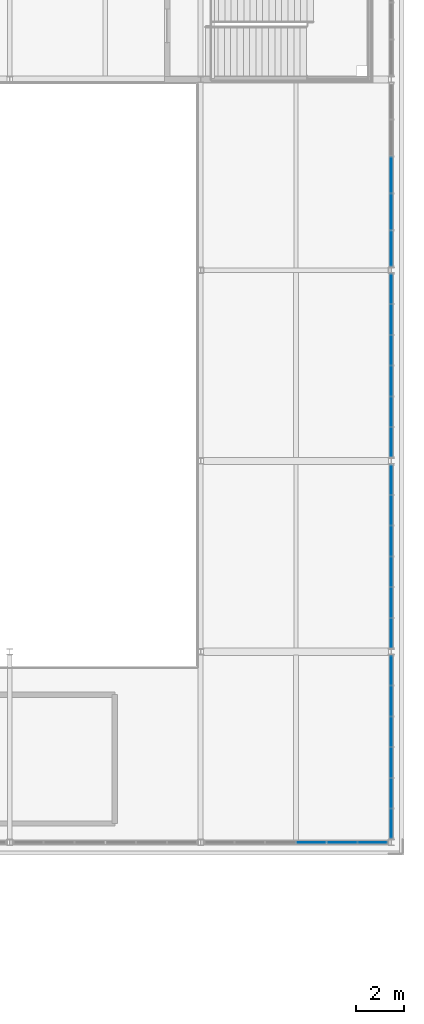
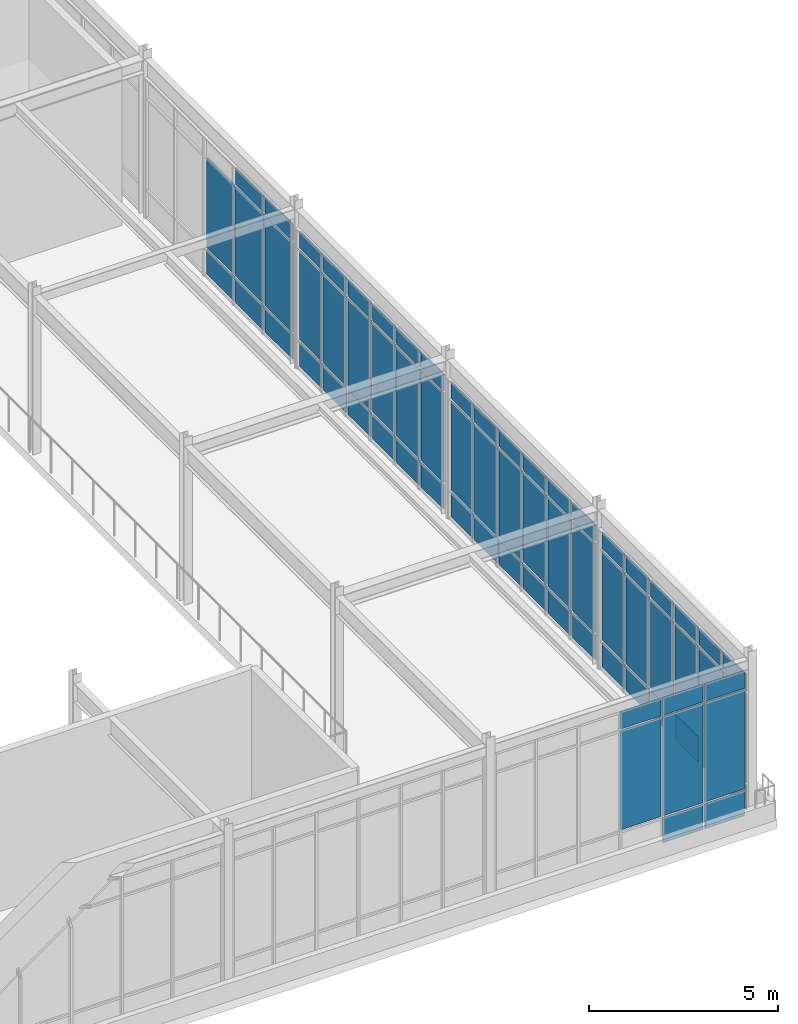
# One storey, part 101 of 184: 70 plates, 5 elements without a shape of their own.
"""IFC4 building model written with IfcOpenShell, lengths in metres."""

import ifcopenshell
import ifcopenshell.guid

model = None  # the IFC model being written
_history = None  # IfcOwnerHistory: only IFC2X3 demands one
_inside = {}  # id of a spatial element -> (the spatial element, [elements in it])
_under = {}  # id of a project, library or spatial element -> (it, [spatial elements below it])
_declared = {}  # id of a project -> (the project, [libraries it declares])
_typed = {}  # id of a type object -> (the type object, [elements of that type])
_made_of = {}  # id of a material, layer set ... -> (it, [elements and type objects made of it])


def new_model(schema):
    """Start an empty IFC model of exactly this schema.

    Asked for "IFC4X3", IfcOpenShell would pick the latest addendum, in which some entities
    have other attributes; the version numbers below select the first issue.
    IFC2X3 requires an IfcOwnerHistory on every rooted entity: one is made here for all.
    """
    global model, _history
    if schema == "IFC4X3":
        model = ifcopenshell.file(schema_version=(4, 3, 0, 0))
    else:
        model = ifcopenshell.file(schema=schema)
    _inside.clear()
    _under.clear()
    _declared.clear()
    _typed.clear()
    _made_of.clear()
    _history = None
    if model.schema == "IFC2X3":
        org = make("IfcOrganization", Name="unknown")
        user = make(
            "IfcPersonAndOrganization",
            ThePerson=make("IfcPerson", FamilyName="unknown"),
            TheOrganization=org,
        )
        app = make(
            "IfcApplication",
            ApplicationDeveloper=org,
            Version="unknown",
            ApplicationFullName="unknown",
            ApplicationIdentifier="unknown",
        )
        _history = make(
            "IfcOwnerHistory",
            OwningUser=user,
            OwningApplication=app,
            ChangeAction="ADDED",
            CreationDate=0,
        )
    return model


def make(cls, **values):
    """One entity of the class cls with the attributes given. An attribute that is None is left unset."""
    return model.create_entity(
        cls, **{name: value for name, value in values.items() if value is not None}
    )


def rooted(cls, **values):
    """An entity with a GlobalId (a new one), such as an element, a storey or a relation."""
    return make(cls, GlobalId=ifcopenshell.guid.new(), OwnerHistory=_history, **values)


def si_unit(unit_type, name, prefix=None):
    """IfcSIUnit, for example si_unit("LENGTHUNIT", "METRE", prefix="MILLI")."""
    return make("IfcSIUnit", UnitType=unit_type, Prefix=prefix, Name=name)


def assignment(units):
    """IfcUnitAssignment: the units of a project."""
    return None if units is None else make("IfcUnitAssignment", Units=units)


def point(xyz):
    """IfcCartesianPoint."""
    return None if xyz is None else make("IfcCartesianPoint", Coordinates=xyz)


def direction(xyz):
    """IfcDirection."""
    return None if xyz is None else make("IfcDirection", DirectionRatios=xyz)


def frame(location, z_axis=None, x_axis=None):
    """IfcAxis2Placement3D, a coordinate frame: its origin and axes. An axis left out is left unset."""
    return make(
        "IfcAxis2Placement3D",
        Location=point(location),
        Axis=direction(z_axis),
        RefDirection=direction(x_axis),
    )


def frame_2d(location, x_axis=None):
    """IfcAxis2Placement2D, a coordinate frame in the plane: its origin and x axis."""
    return make(
        "IfcAxis2Placement2D", Location=point(location), RefDirection=direction(x_axis)
    )


def origin():
    """The frame at (0, 0, 0) with its axes left unset."""
    return frame((0.0, 0.0, 0.0))


def origin_2d():
    """The frame at (0, 0) in the plane with its x axis left unset."""
    return frame_2d((0.0, 0.0))


def place(relative_to, where):
    """IfcLocalPlacement: puts the frame where relative to a parent placement (None: the world)."""
    return make(
        "IfcLocalPlacement", PlacementRelTo=relative_to, RelativePlacement=where
    )


def context(
    kind, dimensions, precision=None, world=None, true_north=None, identifier=None
):
    """IfcGeometricRepresentationContext, for example the 3D "Model" context."""
    return make(
        "IfcGeometricRepresentationContext",
        ContextIdentifier=identifier,
        ContextType=kind,
        CoordinateSpaceDimension=dimensions,
        Precision=precision,
        WorldCoordinateSystem=world,
        TrueNorth=true_north,
    )


def subcontext(parent, identifier, kind, view, scale=None):
    """IfcGeometricRepresentationSubContext, for example "Body" below "Model"."""
    return make(
        "IfcGeometricRepresentationSubContext",
        ContextIdentifier=identifier,
        ContextType=kind,
        ParentContext=parent,
        TargetScale=scale,
        TargetView=view,
    )


def project(units=None, contexts=None):
    """IfcProject with its units and contexts."""
    return rooted(
        "IfcProject",
        Name="project",
        RepresentationContexts=contexts,
        UnitsInContext=assignment(units),
    )


def spatial(cls, under=None, at=None, **own):
    """A site, building, storey or space (cls), placed at a placement, below another one or the project."""
    s = rooted(cls, ObjectPlacement=at, **own)
    if under is not None:
        _under.setdefault(under.id(), (under, []))[1].append(s)
    return s


def profile(cls, at=None, kind="AREA", **sizes):
    """A parametric profile (cls). Its sizes go by their IFC names, for example OverallWidth=200.0."""
    return make(cls, ProfileType=kind, Position=at, **sizes)


def rectangle(**sizes):
    """IfcRectangleProfileDef."""
    return profile("IfcRectangleProfileDef", **sizes)


def extrude(swept, where, along, depth):
    """IfcExtrudedAreaSolid: the profile swept, set in the frame where, extruded along a direction by depth."""
    return make(
        "IfcExtrudedAreaSolid",
        SweptArea=swept,
        Position=where,
        ExtrudedDirection=direction(along),
        Depth=depth,
    )


def shape(context_of_items, identifier, shape_type, items):
    """IfcShapeRepresentation: the items that make up one representation, for example the "Body"."""
    return make(
        "IfcShapeRepresentation",
        ContextOfItems=context_of_items,
        RepresentationIdentifier=identifier,
        RepresentationType=shape_type,
        Items=items,
    )


def material(Name=None, Category=None):
    """IfcMaterial."""
    return make("IfcMaterial", Name=Name, Category=Category)


def layer(
    of_material, thickness, ventilated=None, Name=None, Category=None, Priority=None
):
    """IfcMaterialLayer: one layer of a wall or slab, of a material (None: an air gap)."""
    return make(
        "IfcMaterialLayer",
        Material=of_material,
        LayerThickness=thickness,
        IsVentilated=ventilated,
        Name=Name,
        Category=Category,
        Priority=Priority,
    )


def layer_set(layers, Name=None):
    """IfcMaterialLayerSet."""
    return make("IfcMaterialLayerSet", MaterialLayers=layers, LayerSetName=Name)


def made_of(thing, what):
    """Note that an element or type object is made of a material, layer set ...; save() writes the relation."""
    if what is not None:
        _made_of.setdefault(what.id(), (what, []))[1].append(thing)
    return thing


def type_object(cls, material=None, **own):
    """A type object (cls), such as IfcWallType, which elements share."""
    return made_of(rooted(cls, **own), material)


def element(
    cls,
    number,
    at=None,
    inside=None,
    cuts=None,
    type_object=None,
    material=None,
    context=None,
    identifier="Body",
    shape_type=None,
    held_by="IfcProductDefinitionShape",
    body=None,
    shapes=None,
    **own,
):
    """One element of the class cls, such as IfcWall. Its Tag is "e" and its number.

    at: its placement. inside: the storey or other place that contains it. cuts: it is an
    opening in that element (IfcRelVoidsElement). A single representation is given by context,
    identifier, shape_type and body (its items); several are given by shapes. held_by: the class
    of the entity that holds the representations. save() writes the other relations.
    """
    e = rooted(cls, Tag="e%d" % number, ObjectPlacement=at, **own)
    if body is not None:
        shapes = [shape(context, identifier, shape_type, body)]
    if shapes is not None:
        e.Representation = make(held_by, Representations=shapes)
    if inside is not None:
        _inside.setdefault(inside.id(), (inside, []))[1].append(e)
    if cuts is not None:
        rooted(
            "IfcRelVoidsElement", RelatingBuildingElement=cuts, RelatedOpeningElement=e
        )
    if type_object is not None:
        _typed.setdefault(type_object.id(), (type_object, []))[1].append(e)
    return made_of(e, material)


def aggregate(whole, parts):
    """IfcRelAggregates: a whole, such as a stair, and the parts it consists of."""
    return rooted("IfcRelAggregates", RelatingObject=whole, RelatedObjects=parts)


def save(model, path):
    """Write the relations noted so far, then the file.

    IfcRelAggregates (storeys below a building ...), IfcRelContainedInSpatialStructure (elements
    in a storey), IfcRelDefinesByType, IfcRelAssociatesMaterial and IfcRelDeclares: one each for
    every whole, place, type object, material and project.
    """
    for whole, parts in _under.values():
        aggregate(whole, parts)
    for where, things in _inside.values():
        rooted(
            "IfcRelContainedInSpatialStructure",
            RelatedElements=things,
            RelatingStructure=where,
        )
    for kind, things in _typed.values():
        rooted("IfcRelDefinesByType", RelatedObjects=things, RelatingType=kind)
    for what, things in _made_of.values():
        rooted("IfcRelAssociatesMaterial", RelatedObjects=things, RelatingMaterial=what)
    for by, libraries in _declared.values():
        rooted("IfcRelDeclares", RelatingContext=by, RelatedDefinitions=libraries)
    model.write(path)


model = new_model("IFC4")

# Units and contexts
model_context = context("Model", 3, precision=1e-05, world=origin(), true_north=direction((0.0, 1.0)))
body_context = subcontext(model_context, "Body", "Model", "MODEL_VIEW")
ifc_project = project(units=[si_unit("LENGTHUNIT", "METRE"), si_unit("AREAUNIT", "SQUARE_METRE"), si_unit("VOLUMEUNIT", "CUBIC_METRE"), si_unit("PLANEANGLEUNIT", "RADIAN"), si_unit("MASSUNIT", "GRAM", prefix="KILO")], contexts=[model_context])

# Site, building, storey
site_placement = place(None, origin())
site = spatial("IfcSite", under=ifc_project, at=site_placement, CompositionType="ELEMENT")
building_placement = place(site_placement, origin())
building = spatial("IfcBuilding", under=site, at=building_placement, Name="Zhaolan Boulevard Law Courts", CompositionType="ELEMENT")
storey_placement = place(building_placement, frame((0.0, 0.0, 5.39990234375)))
storey = spatial("IfcBuildingStorey", under=building, at=storey_placement, Name="L01", CompositionType="ELEMENT", Elevation=5.39990234375)

# Curtain wall, plates
ifc_material_1 = material(Name="Thermally broken aluminium and low-E glazing", Category="aluminium")
curtain_wall_type_1 = type_object("IfcCurtainWallType", Name="CURTAIN WALL M12", PredefinedType="USERDEFINED", material=ifc_material_1)
curtain_wall_1_placement = place(storey_placement, origin())
curtain_wall_1 = element("IfcCurtainWall", 1, at=curtain_wall_1_placement, inside=storey, type_object=curtain_wall_type_1, Name="Curtain Wall CW-L01-060", ObjectType="CURTAIN WALL", PredefinedType="USERDEFINED")
ifc_material_2 = material(Name="Acoustic laminated low-E glazing", Category="glass")
ifc_layer = layer(ifc_material_2, 0.031982421875)
ifc_layer_set = layer_set([ifc_layer])
plate_type = type_object("IfcPlateType", Name="CWPANEL LOW E32", PredefinedType="CURTAIN_PANEL", material=ifc_layer_set)
plate_1_placement = place(storey_placement, frame((160.6455078125, 6.0, 0.9326171875), z_axis=(0.0, 0.0, 1.0), x_axis=(1.0, 0.0, 0.0)))
plate_1 = element("IfcPlate", 2, at=plate_1_placement, type_object=plate_type, Name="CW-L01-060 panel 4.2", PredefinedType="CURTAIN_PANEL", context=body_context, shape_type="SweptSolid", body=[
    extrude(rectangle(XDim=1.22607421875, YDim=0.031982421875, at=origin_2d()), origin(), (0.0, 0.0, 1.0), 3.18798828125),
])
plate_2_placement = place(storey_placement, frame((160.6455078125, 6.0, 4.185546875), z_axis=(0.0, 0.0, 1.0), x_axis=(1.0, 0.0, 0.0)))
plate_2 = element("IfcPlate", 3, at=plate_2_placement, type_object=plate_type, Name="CW-L01-060 panel 4.3", PredefinedType="CURTAIN_PANEL", context=body_context, shape_type="SweptSolid", body=[
    extrude(rectangle(XDim=1.22607421875, YDim=0.031982421875, at=origin_2d()), origin(), (0.0, 0.0, 1.0), 0.552490234375),
])
plate_3_placement = place(storey_placement, frame((161.9365234375, 6.0, 0.06494140625), z_axis=(0.0, 0.0, 1.0), x_axis=(1.0, 0.0, 0.0)))
plate_3 = element("IfcPlate", 4, at=plate_3_placement, type_object=plate_type, Name="CW-L01-060 panel 5.1", PredefinedType="CURTAIN_PANEL", context=body_context, shape_type="SweptSolid", body=[
    extrude(rectangle(XDim=1.22607421875, YDim=0.031982421875, at=origin_2d()), origin(), (0.0, 0.0, 1.0), 0.802490234375),
])
plate_4_placement = place(storey_placement, frame((161.9365234375, 6.0, 0.9326171875), z_axis=(0.0, 0.0, 1.0), x_axis=(1.0, 0.0, 0.0)))
plate_4 = element("IfcPlate", 5, at=plate_4_placement, type_object=plate_type, Name="CW-L01-060 panel 5.2", PredefinedType="CURTAIN_PANEL", context=body_context, shape_type="SweptSolid", body=[
    extrude(rectangle(XDim=1.22607421875, YDim=0.031982421875, at=origin_2d()), origin(), (0.0, 0.0, 1.0), 3.18798828125),
])
plate_5_placement = place(storey_placement, frame((161.9365234375, 6.0, 4.185546875), z_axis=(0.0, 0.0, 1.0), x_axis=(1.0, 0.0, 0.0)))
plate_5 = element("IfcPlate", 6, at=plate_5_placement, type_object=plate_type, Name="CW-L01-060 panel 5.3", PredefinedType="CURTAIN_PANEL", context=body_context, shape_type="SweptSolid", body=[
    extrude(rectangle(XDim=1.22607421875, YDim=0.031982421875, at=origin_2d()), origin(), (0.0, 0.0, 1.0), 0.552490234375),
])
plate_6_placement = place(storey_placement, frame((163.211181640625, 6.0, 0.06494140625), z_axis=(0.0, 0.0, 1.0), x_axis=(1.0, 0.0, 0.0)))
plate_6 = element("IfcPlate", 7, at=plate_6_placement, type_object=plate_type, Name="CW-L01-060 panel 6.1", PredefinedType="CURTAIN_PANEL", context=body_context, shape_type="SweptSolid", body=[
    extrude(rectangle(XDim=1.193603515625, YDim=0.031982421875, at=origin_2d()), origin(), (0.0, 0.0, 1.0), 0.802490234375),
])
plate_7_placement = place(storey_placement, frame((163.211181640625, 6.0, 0.9326171875), z_axis=(0.0, 0.0, 1.0), x_axis=(1.0, 0.0, 0.0)))
plate_7 = element("IfcPlate", 8, at=plate_7_placement, type_object=plate_type, Name="CW-L01-060 panel 6.2", PredefinedType="CURTAIN_PANEL", context=body_context, shape_type="SweptSolid", body=[
    extrude(rectangle(XDim=1.193603515625, YDim=0.031982421875, at=origin_2d()), origin(), (0.0, 0.0, 1.0), 3.18798828125),
])
plate_8_placement = place(storey_placement, frame((163.211181640625, 6.0, 4.185546875), z_axis=(0.0, 0.0, 1.0), x_axis=(1.0, 0.0, 0.0)))
plate_8 = element("IfcPlate", 9, at=plate_8_placement, type_object=plate_type, Name="CW-L01-060 panel 6.3", PredefinedType="CURTAIN_PANEL", context=body_context, shape_type="SweptSolid", body=[
    extrude(rectangle(XDim=1.193603515625, YDim=0.031982421875, at=origin_2d()), origin(), (0.0, 0.0, 1.0), 0.552490234375),
])
aggregate(curtain_wall_1, [plate_1, plate_2, plate_3, plate_4, plate_5, plate_6, plate_7, plate_8])

ifc_material_3 = material(Name="Thermally broken aluminium and low-E glazing", Category="aluminium")
curtain_wall_type_2 = type_object("IfcCurtainWallType", Name="CURTAIN WALL M13", PredefinedType="USERDEFINED", material=ifc_material_3)
curtain_wall_2_placement = place(storey_placement, origin())
curtain_wall_2 = element("IfcCurtainWall", 10, at=curtain_wall_2_placement, inside=storey, type_object=curtain_wall_type_2, Name="Curtain Wall CW-L01-061", ObjectType="CURTAIN WALL", PredefinedType="USERDEFINED")
plate_9_placement = place(storey_placement, frame((164.0, 6.788818359375, 0.06494140625), z_axis=(0.0, 0.0, 1.0), x_axis=(0.0, 1.0, 0.0)))
plate_9 = element("IfcPlate", 11, at=plate_9_placement, type_object=plate_type, Name="CW-L01-061 panel 1.1", PredefinedType="CURTAIN_PANEL", context=body_context, shape_type="SweptSolid", body=[
    extrude(rectangle(XDim=1.193603515625, YDim=0.031982421875, at=origin_2d()), origin(), (0.0, 0.0, 1.0), 0.802490234375),
])
plate_10_placement = place(storey_placement, frame((164.0, 6.788818359375, 0.9326171875), z_axis=(0.0, 0.0, 1.0), x_axis=(0.0, 1.0, 0.0)))
plate_10 = element("IfcPlate", 12, at=plate_10_placement, type_object=plate_type, Name="CW-L01-061 panel 1.2", PredefinedType="CURTAIN_PANEL", context=body_context, shape_type="SweptSolid", body=[
    extrude(rectangle(XDim=1.193603515625, YDim=0.031982421875, at=origin_2d()), origin(), (0.0, 0.0, 1.0), 2.887939453125),
])
plate_11_placement = place(storey_placement, frame((164.0, 6.788818359375, 3.8857421875), z_axis=(0.0, 0.0, 1.0), x_axis=(0.0, 1.0, 0.0)))
plate_11 = element("IfcPlate", 13, at=plate_11_placement, type_object=plate_type, Name="CW-L01-061 panel 1.3", PredefinedType="CURTAIN_PANEL", context=body_context, shape_type="SweptSolid", body=[
    extrude(rectangle(XDim=1.193603515625, YDim=0.031982421875, at=origin_2d()), origin(), (0.0, 0.0, 1.0), 0.552490234375),
])
plate_12_placement = place(storey_placement, frame((164.0, 8.0634765625, 0.06494140625), z_axis=(0.0, 0.0, 1.0), x_axis=(0.0, 1.0, 0.0)))
plate_12 = element("IfcPlate", 14, at=plate_12_placement, type_object=plate_type, Name="CW-L01-061 panel 2.1", PredefinedType="CURTAIN_PANEL", context=body_context, shape_type="SweptSolid", body=[
    extrude(rectangle(XDim=1.22607421875, YDim=0.031982421875, at=origin_2d()), origin(), (0.0, 0.0, 1.0), 0.802490234375),
])
plate_13_placement = place(storey_placement, frame((164.0, 8.0634765625, 0.9326171875), z_axis=(0.0, 0.0, 1.0), x_axis=(0.0, 1.0, 0.0)))
plate_13 = element("IfcPlate", 15, at=plate_13_placement, type_object=plate_type, Name="CW-L01-061 panel 2.2", PredefinedType="CURTAIN_PANEL", context=body_context, shape_type="SweptSolid", body=[
    extrude(rectangle(XDim=1.22607421875, YDim=0.031982421875, at=origin_2d()), origin(), (0.0, 0.0, 1.0), 2.887939453125),
])
plate_14_placement = place(storey_placement, frame((164.0, 8.0634765625, 3.8857421875), z_axis=(0.0, 0.0, 1.0), x_axis=(0.0, 1.0, 0.0)))
plate_14 = element("IfcPlate", 16, at=plate_14_placement, type_object=plate_type, Name="CW-L01-061 panel 2.3", PredefinedType="CURTAIN_PANEL", context=body_context, shape_type="SweptSolid", body=[
    extrude(rectangle(XDim=1.22607421875, YDim=0.031982421875, at=origin_2d()), origin(), (0.0, 0.0, 1.0), 0.552490234375),
])
plate_15_placement = place(storey_placement, frame((164.0, 9.3544921875, 0.06494140625), z_axis=(0.0, 0.0, 1.0), x_axis=(0.0, 1.0, 0.0)))
plate_15 = element("IfcPlate", 17, at=plate_15_placement, type_object=plate_type, Name="CW-L01-061 panel 3.1", PredefinedType="CURTAIN_PANEL", context=body_context, shape_type="SweptSolid", body=[
    extrude(rectangle(XDim=1.22607421875, YDim=0.031982421875, at=origin_2d()), origin(), (0.0, 0.0, 1.0), 0.802490234375),
])
plate_16_placement = place(storey_placement, frame((164.0, 9.3544921875, 0.9326171875), z_axis=(0.0, 0.0, 1.0), x_axis=(0.0, 1.0, 0.0)))
plate_16 = element("IfcPlate", 18, at=plate_16_placement, type_object=plate_type, Name="CW-L01-061 panel 3.2", PredefinedType="CURTAIN_PANEL", context=body_context, shape_type="SweptSolid", body=[
    extrude(rectangle(XDim=1.22607421875, YDim=0.031982421875, at=origin_2d()), origin(), (0.0, 0.0, 1.0), 2.887939453125),
])
plate_17_placement = place(storey_placement, frame((164.0, 9.3544921875, 3.8857421875), z_axis=(0.0, 0.0, 1.0), x_axis=(0.0, 1.0, 0.0)))
plate_17 = element("IfcPlate", 19, at=plate_17_placement, type_object=plate_type, Name="CW-L01-061 panel 3.3", PredefinedType="CURTAIN_PANEL", context=body_context, shape_type="SweptSolid", body=[
    extrude(rectangle(XDim=1.22607421875, YDim=0.031982421875, at=origin_2d()), origin(), (0.0, 0.0, 1.0), 0.552490234375),
])
plate_18_placement = place(storey_placement, frame((164.0, 10.6455078125, 0.06494140625), z_axis=(0.0, 0.0, 1.0), x_axis=(0.0, 1.0, 0.0)))
plate_18 = element("IfcPlate", 20, at=plate_18_placement, type_object=plate_type, Name="CW-L01-061 panel 4.1", PredefinedType="CURTAIN_PANEL", context=body_context, shape_type="SweptSolid", body=[
    extrude(rectangle(XDim=1.22607421875, YDim=0.031982421875, at=origin_2d()), origin(), (0.0, 0.0, 1.0), 0.802490234375),
])
plate_19_placement = place(storey_placement, frame((164.0, 10.6455078125, 0.9326171875), z_axis=(0.0, 0.0, 1.0), x_axis=(0.0, 1.0, 0.0)))
plate_19 = element("IfcPlate", 21, at=plate_19_placement, type_object=plate_type, Name="CW-L01-061 panel 4.2", PredefinedType="CURTAIN_PANEL", context=body_context, shape_type="SweptSolid", body=[
    extrude(rectangle(XDim=1.22607421875, YDim=0.031982421875, at=origin_2d()), origin(), (0.0, 0.0, 1.0), 2.887939453125),
])
plate_20_placement = place(storey_placement, frame((164.0, 10.6455078125, 3.8857421875), z_axis=(0.0, 0.0, 1.0), x_axis=(0.0, 1.0, 0.0)))
plate_20 = element("IfcPlate", 22, at=plate_20_placement, type_object=plate_type, Name="CW-L01-061 panel 4.3", PredefinedType="CURTAIN_PANEL", context=body_context, shape_type="SweptSolid", body=[
    extrude(rectangle(XDim=1.22607421875, YDim=0.031982421875, at=origin_2d()), origin(), (0.0, 0.0, 1.0), 0.552490234375),
])
plate_21_placement = place(storey_placement, frame((164.0, 11.9365234375, 0.06494140625), z_axis=(0.0, 0.0, 1.0), x_axis=(0.0, 1.0, 0.0)))
plate_21 = element("IfcPlate", 23, at=plate_21_placement, type_object=plate_type, Name="CW-L01-061 panel 5.1", PredefinedType="CURTAIN_PANEL", context=body_context, shape_type="SweptSolid", body=[
    extrude(rectangle(XDim=1.22607421875, YDim=0.031982421875, at=origin_2d()), origin(), (0.0, 0.0, 1.0), 0.802490234375),
])
plate_22_placement = place(storey_placement, frame((164.0, 11.9365234375, 0.9326171875), z_axis=(0.0, 0.0, 1.0), x_axis=(0.0, 1.0, 0.0)))
plate_22 = element("IfcPlate", 24, at=plate_22_placement, type_object=plate_type, Name="CW-L01-061 panel 5.2", PredefinedType="CURTAIN_PANEL", context=body_context, shape_type="SweptSolid", body=[
    extrude(rectangle(XDim=1.22607421875, YDim=0.031982421875, at=origin_2d()), origin(), (0.0, 0.0, 1.0), 2.887939453125),
])
plate_23_placement = place(storey_placement, frame((164.0, 11.9365234375, 3.8857421875), z_axis=(0.0, 0.0, 1.0), x_axis=(0.0, 1.0, 0.0)))
plate_23 = element("IfcPlate", 25, at=plate_23_placement, type_object=plate_type, Name="CW-L01-061 panel 5.3", PredefinedType="CURTAIN_PANEL", context=body_context, shape_type="SweptSolid", body=[
    extrude(rectangle(XDim=1.22607421875, YDim=0.031982421875, at=origin_2d()), origin(), (0.0, 0.0, 1.0), 0.552490234375),
])
plate_24_placement = place(storey_placement, frame((164.0, 13.211181640625, 0.06494140625), z_axis=(0.0, 0.0, 1.0), x_axis=(0.0, 1.0, 0.0)))
plate_24 = element("IfcPlate", 26, at=plate_24_placement, type_object=plate_type, Name="CW-L01-061 panel 6.1", PredefinedType="CURTAIN_PANEL", context=body_context, shape_type="SweptSolid", body=[
    extrude(rectangle(XDim=1.193603515625, YDim=0.031982421875, at=origin_2d()), origin(), (0.0, 0.0, 1.0), 0.802490234375),
])
plate_25_placement = place(storey_placement, frame((164.0, 13.211181640625, 0.9326171875), z_axis=(0.0, 0.0, 1.0), x_axis=(0.0, 1.0, 0.0)))
plate_25 = element("IfcPlate", 27, at=plate_25_placement, type_object=plate_type, Name="CW-L01-061 panel 6.2", PredefinedType="CURTAIN_PANEL", context=body_context, shape_type="SweptSolid", body=[
    extrude(rectangle(XDim=1.193603515625, YDim=0.031982421875, at=origin_2d()), origin(), (0.0, 0.0, 1.0), 2.887939453125),
])
plate_26_placement = place(storey_placement, frame((164.0, 13.211181640625, 3.8857421875), z_axis=(0.0, 0.0, 1.0), x_axis=(0.0, 1.0, 0.0)))
plate_26 = element("IfcPlate", 28, at=plate_26_placement, type_object=plate_type, Name="CW-L01-061 panel 6.3", PredefinedType="CURTAIN_PANEL", context=body_context, shape_type="SweptSolid", body=[
    extrude(rectangle(XDim=1.193603515625, YDim=0.031982421875, at=origin_2d()), origin(), (0.0, 0.0, 1.0), 0.552490234375),
])
aggregate(curtain_wall_2, [plate_9, plate_10, plate_11, plate_12, plate_13, plate_14, plate_15, plate_16, plate_17, plate_18, plate_19, plate_20, plate_21, plate_22, plate_23, plate_24, plate_25, plate_26])

ifc_material_4 = material(Name="Thermally broken aluminium and low-E glazing", Category="aluminium")
curtain_wall_type_3 = type_object("IfcCurtainWallType", Name="CURTAIN WALL M14", PredefinedType="USERDEFINED", material=ifc_material_4)
curtain_wall_3_placement = place(storey_placement, origin())
curtain_wall_3 = element("IfcCurtainWall", 29, at=curtain_wall_3_placement, inside=storey, type_object=curtain_wall_type_3, Name="Curtain Wall CW-L01-062", ObjectType="CURTAIN WALL", PredefinedType="USERDEFINED")
plate_27_placement = place(storey_placement, frame((164.0, 14.788818359375, 0.06494140625), z_axis=(0.0, 0.0, 1.0), x_axis=(0.0, 1.0, 0.0)))
plate_27 = element("IfcPlate", 30, at=plate_27_placement, type_object=plate_type, Name="CW-L01-062 panel 1.1", PredefinedType="CURTAIN_PANEL", context=body_context, shape_type="SweptSolid", body=[
    extrude(rectangle(XDim=1.193603515625, YDim=0.031982421875, at=origin_2d()), origin(), (0.0, 0.0, 1.0), 0.802490234375),
])
plate_28_placement = place(storey_placement, frame((164.0, 14.788818359375, 0.9326171875), z_axis=(0.0, 0.0, 1.0), x_axis=(0.0, 1.0, 0.0)))
plate_28 = element("IfcPlate", 31, at=plate_28_placement, type_object=plate_type, Name="CW-L01-062 panel 1.2", PredefinedType="CURTAIN_PANEL", context=body_context, shape_type="SweptSolid", body=[
    extrude(rectangle(XDim=1.193603515625, YDim=0.031982421875, at=origin_2d()), origin(), (0.0, 0.0, 1.0), 2.887939453125),
])
plate_29_placement = place(storey_placement, frame((164.0, 14.788818359375, 3.8857421875), z_axis=(0.0, 0.0, 1.0), x_axis=(0.0, 1.0, 0.0)))
plate_29 = element("IfcPlate", 32, at=plate_29_placement, type_object=plate_type, Name="CW-L01-062 panel 1.3", PredefinedType="CURTAIN_PANEL", context=body_context, shape_type="SweptSolid", body=[
    extrude(rectangle(XDim=1.193603515625, YDim=0.031982421875, at=origin_2d()), origin(), (0.0, 0.0, 1.0), 0.552490234375),
])
plate_30_placement = place(storey_placement, frame((164.0, 16.0634765625, 0.06494140625), z_axis=(0.0, 0.0, 1.0), x_axis=(0.0, 1.0, 0.0)))
plate_30 = element("IfcPlate", 33, at=plate_30_placement, type_object=plate_type, Name="CW-L01-062 panel 2.1", PredefinedType="CURTAIN_PANEL", context=body_context, shape_type="SweptSolid", body=[
    extrude(rectangle(XDim=1.22607421875, YDim=0.031982421875, at=origin_2d()), origin(), (0.0, 0.0, 1.0), 0.802490234375),
])
plate_31_placement = place(storey_placement, frame((164.0, 16.0634765625, 0.9326171875), z_axis=(0.0, 0.0, 1.0), x_axis=(0.0, 1.0, 0.0)))
plate_31 = element("IfcPlate", 34, at=plate_31_placement, type_object=plate_type, Name="CW-L01-062 panel 2.2", PredefinedType="CURTAIN_PANEL", context=body_context, shape_type="SweptSolid", body=[
    extrude(rectangle(XDim=1.22607421875, YDim=0.031982421875, at=origin_2d()), origin(), (0.0, 0.0, 1.0), 2.887939453125),
])
plate_32_placement = place(storey_placement, frame((164.0, 16.0634765625, 3.8857421875), z_axis=(0.0, 0.0, 1.0), x_axis=(0.0, 1.0, 0.0)))
plate_32 = element("IfcPlate", 35, at=plate_32_placement, type_object=plate_type, Name="CW-L01-062 panel 2.3", PredefinedType="CURTAIN_PANEL", context=body_context, shape_type="SweptSolid", body=[
    extrude(rectangle(XDim=1.22607421875, YDim=0.031982421875, at=origin_2d()), origin(), (0.0, 0.0, 1.0), 0.552490234375),
])
plate_33_placement = place(storey_placement, frame((164.0, 17.3544921875, 0.06494140625), z_axis=(0.0, 0.0, 1.0), x_axis=(0.0, 1.0, 0.0)))
plate_33 = element("IfcPlate", 36, at=plate_33_placement, type_object=plate_type, Name="CW-L01-062 panel 3.1", PredefinedType="CURTAIN_PANEL", context=body_context, shape_type="SweptSolid", body=[
    extrude(rectangle(XDim=1.22607421875, YDim=0.031982421875, at=origin_2d()), origin(), (0.0, 0.0, 1.0), 0.802490234375),
])
plate_34_placement = place(storey_placement, frame((164.0, 17.3544921875, 0.9326171875), z_axis=(0.0, 0.0, 1.0), x_axis=(0.0, 1.0, 0.0)))
plate_34 = element("IfcPlate", 37, at=plate_34_placement, type_object=plate_type, Name="CW-L01-062 panel 3.2", PredefinedType="CURTAIN_PANEL", context=body_context, shape_type="SweptSolid", body=[
    extrude(rectangle(XDim=1.22607421875, YDim=0.031982421875, at=origin_2d()), origin(), (0.0, 0.0, 1.0), 2.887939453125),
])
plate_35_placement = place(storey_placement, frame((164.0, 17.3544921875, 3.8857421875), z_axis=(0.0, 0.0, 1.0), x_axis=(0.0, 1.0, 0.0)))
plate_35 = element("IfcPlate", 38, at=plate_35_placement, type_object=plate_type, Name="CW-L01-062 panel 3.3", PredefinedType="CURTAIN_PANEL", context=body_context, shape_type="SweptSolid", body=[
    extrude(rectangle(XDim=1.22607421875, YDim=0.031982421875, at=origin_2d()), origin(), (0.0, 0.0, 1.0), 0.552490234375),
])
plate_36_placement = place(storey_placement, frame((164.0, 18.6455078125, 0.06494140625), z_axis=(0.0, 0.0, 1.0), x_axis=(0.0, 1.0, 0.0)))
plate_36 = element("IfcPlate", 39, at=plate_36_placement, type_object=plate_type, Name="CW-L01-062 panel 4.1", PredefinedType="CURTAIN_PANEL", context=body_context, shape_type="SweptSolid", body=[
    extrude(rectangle(XDim=1.22607421875, YDim=0.031982421875, at=origin_2d()), origin(), (0.0, 0.0, 1.0), 0.802490234375),
])
plate_37_placement = place(storey_placement, frame((164.0, 18.6455078125, 0.9326171875), z_axis=(0.0, 0.0, 1.0), x_axis=(0.0, 1.0, 0.0)))
plate_37 = element("IfcPlate", 40, at=plate_37_placement, type_object=plate_type, Name="CW-L01-062 panel 4.2", PredefinedType="CURTAIN_PANEL", context=body_context, shape_type="SweptSolid", body=[
    extrude(rectangle(XDim=1.22607421875, YDim=0.031982421875, at=origin_2d()), origin(), (0.0, 0.0, 1.0), 2.887939453125),
])
plate_38_placement = place(storey_placement, frame((164.0, 18.6455078125, 3.8857421875), z_axis=(0.0, 0.0, 1.0), x_axis=(0.0, 1.0, 0.0)))
plate_38 = element("IfcPlate", 41, at=plate_38_placement, type_object=plate_type, Name="CW-L01-062 panel 4.3", PredefinedType="CURTAIN_PANEL", context=body_context, shape_type="SweptSolid", body=[
    extrude(rectangle(XDim=1.22607421875, YDim=0.031982421875, at=origin_2d()), origin(), (0.0, 0.0, 1.0), 0.552490234375),
])
plate_39_placement = place(storey_placement, frame((164.0, 19.9365234375, 0.06494140625), z_axis=(0.0, 0.0, 1.0), x_axis=(0.0, 1.0, 0.0)))
plate_39 = element("IfcPlate", 42, at=plate_39_placement, type_object=plate_type, Name="CW-L01-062 panel 5.1", PredefinedType="CURTAIN_PANEL", context=body_context, shape_type="SweptSolid", body=[
    extrude(rectangle(XDim=1.22607421875, YDim=0.031982421875, at=origin_2d()), origin(), (0.0, 0.0, 1.0), 0.802490234375),
])
plate_40_placement = place(storey_placement, frame((164.0, 19.9365234375, 0.9326171875), z_axis=(0.0, 0.0, 1.0), x_axis=(0.0, 1.0, 0.0)))
plate_40 = element("IfcPlate", 43, at=plate_40_placement, type_object=plate_type, Name="CW-L01-062 panel 5.2", PredefinedType="CURTAIN_PANEL", context=body_context, shape_type="SweptSolid", body=[
    extrude(rectangle(XDim=1.22607421875, YDim=0.031982421875, at=origin_2d()), origin(), (0.0, 0.0, 1.0), 2.887939453125),
])
plate_41_placement = place(storey_placement, frame((164.0, 19.9365234375, 3.8857421875), z_axis=(0.0, 0.0, 1.0), x_axis=(0.0, 1.0, 0.0)))
plate_41 = element("IfcPlate", 44, at=plate_41_placement, type_object=plate_type, Name="CW-L01-062 panel 5.3", PredefinedType="CURTAIN_PANEL", context=body_context, shape_type="SweptSolid", body=[
    extrude(rectangle(XDim=1.22607421875, YDim=0.031982421875, at=origin_2d()), origin(), (0.0, 0.0, 1.0), 0.552490234375),
])
plate_42_placement = place(storey_placement, frame((164.0, 21.211181640625, 0.06494140625), z_axis=(0.0, 0.0, 1.0), x_axis=(0.0, 1.0, 0.0)))
plate_42 = element("IfcPlate", 45, at=plate_42_placement, type_object=plate_type, Name="CW-L01-062 panel 6.1", PredefinedType="CURTAIN_PANEL", context=body_context, shape_type="SweptSolid", body=[
    extrude(rectangle(XDim=1.193603515625, YDim=0.031982421875, at=origin_2d()), origin(), (0.0, 0.0, 1.0), 0.802490234375),
])
plate_43_placement = place(storey_placement, frame((164.0, 21.211181640625, 0.9326171875), z_axis=(0.0, 0.0, 1.0), x_axis=(0.0, 1.0, 0.0)))
plate_43 = element("IfcPlate", 46, at=plate_43_placement, type_object=plate_type, Name="CW-L01-062 panel 6.2", PredefinedType="CURTAIN_PANEL", context=body_context, shape_type="SweptSolid", body=[
    extrude(rectangle(XDim=1.193603515625, YDim=0.031982421875, at=origin_2d()), origin(), (0.0, 0.0, 1.0), 2.887939453125),
])
plate_44_placement = place(storey_placement, frame((164.0, 21.211181640625, 3.8857421875), z_axis=(0.0, 0.0, 1.0), x_axis=(0.0, 1.0, 0.0)))
plate_44 = element("IfcPlate", 47, at=plate_44_placement, type_object=plate_type, Name="CW-L01-062 panel 6.3", PredefinedType="CURTAIN_PANEL", context=body_context, shape_type="SweptSolid", body=[
    extrude(rectangle(XDim=1.193603515625, YDim=0.031982421875, at=origin_2d()), origin(), (0.0, 0.0, 1.0), 0.552490234375),
])
aggregate(curtain_wall_3, [plate_27, plate_28, plate_29, plate_30, plate_31, plate_32, plate_33, plate_34, plate_35, plate_36, plate_37, plate_38, plate_39, plate_40, plate_41, plate_42, plate_43, plate_44])

ifc_material_5 = material(Name="Thermally broken aluminium and low-E glazing", Category="aluminium")
curtain_wall_type_4 = type_object("IfcCurtainWallType", Name="CURTAIN WALL M15", PredefinedType="USERDEFINED", material=ifc_material_5)
curtain_wall_4_placement = place(storey_placement, origin())
curtain_wall_4 = element("IfcCurtainWall", 48, at=curtain_wall_4_placement, inside=storey, type_object=curtain_wall_type_4, Name="Curtain Wall CW-L01-063", ObjectType="CURTAIN WALL", PredefinedType="USERDEFINED")
plate_45_placement = place(storey_placement, frame((164.0, 22.788818359375, 0.06494140625), z_axis=(0.0, 0.0, 1.0), x_axis=(0.0, 1.0, 0.0)))
plate_45 = element("IfcPlate", 49, at=plate_45_placement, type_object=plate_type, Name="CW-L01-063 panel 1.1", PredefinedType="CURTAIN_PANEL", context=body_context, shape_type="SweptSolid", body=[
    extrude(rectangle(XDim=1.193603515625, YDim=0.031982421875, at=origin_2d()), origin(), (0.0, 0.0, 1.0), 0.802490234375),
])
plate_46_placement = place(storey_placement, frame((164.0, 22.788818359375, 0.9326171875), z_axis=(0.0, 0.0, 1.0), x_axis=(0.0, 1.0, 0.0)))
plate_46 = element("IfcPlate", 50, at=plate_46_placement, type_object=plate_type, Name="CW-L01-063 panel 1.2", PredefinedType="CURTAIN_PANEL", context=body_context, shape_type="SweptSolid", body=[
    extrude(rectangle(XDim=1.193603515625, YDim=0.031982421875, at=origin_2d()), origin(), (0.0, 0.0, 1.0), 2.887939453125),
])
plate_47_placement = place(storey_placement, frame((164.0, 22.788818359375, 3.8857421875), z_axis=(0.0, 0.0, 1.0), x_axis=(0.0, 1.0, 0.0)))
plate_47 = element("IfcPlate", 51, at=plate_47_placement, type_object=plate_type, Name="CW-L01-063 panel 1.3", PredefinedType="CURTAIN_PANEL", context=body_context, shape_type="SweptSolid", body=[
    extrude(rectangle(XDim=1.193603515625, YDim=0.031982421875, at=origin_2d()), origin(), (0.0, 0.0, 1.0), 0.552490234375),
])
plate_48_placement = place(storey_placement, frame((164.0, 24.0634765625, 0.06494140625), z_axis=(0.0, 0.0, 1.0), x_axis=(0.0, 1.0, 0.0)))
plate_48 = element("IfcPlate", 52, at=plate_48_placement, type_object=plate_type, Name="CW-L01-063 panel 2.1", PredefinedType="CURTAIN_PANEL", context=body_context, shape_type="SweptSolid", body=[
    extrude(rectangle(XDim=1.22607421875, YDim=0.031982421875, at=origin_2d()), origin(), (0.0, 0.0, 1.0), 0.802490234375),
])
plate_49_placement = place(storey_placement, frame((164.0, 24.0634765625, 0.9326171875), z_axis=(0.0, 0.0, 1.0), x_axis=(0.0, 1.0, 0.0)))
plate_49 = element("IfcPlate", 53, at=plate_49_placement, type_object=plate_type, Name="CW-L01-063 panel 2.2", PredefinedType="CURTAIN_PANEL", context=body_context, shape_type="SweptSolid", body=[
    extrude(rectangle(XDim=1.22607421875, YDim=0.031982421875, at=origin_2d()), origin(), (0.0, 0.0, 1.0), 2.887939453125),
])
plate_50_placement = place(storey_placement, frame((164.0, 24.0634765625, 3.8857421875), z_axis=(0.0, 0.0, 1.0), x_axis=(0.0, 1.0, 0.0)))
plate_50 = element("IfcPlate", 54, at=plate_50_placement, type_object=plate_type, Name="CW-L01-063 panel 2.3", PredefinedType="CURTAIN_PANEL", context=body_context, shape_type="SweptSolid", body=[
    extrude(rectangle(XDim=1.22607421875, YDim=0.031982421875, at=origin_2d()), origin(), (0.0, 0.0, 1.0), 0.552490234375),
])
plate_51_placement = place(storey_placement, frame((164.0, 25.3544921875, 0.06494140625), z_axis=(0.0, 0.0, 1.0), x_axis=(0.0, 1.0, 0.0)))
plate_51 = element("IfcPlate", 55, at=plate_51_placement, type_object=plate_type, Name="CW-L01-063 panel 3.1", PredefinedType="CURTAIN_PANEL", context=body_context, shape_type="SweptSolid", body=[
    extrude(rectangle(XDim=1.22607421875, YDim=0.031982421875, at=origin_2d()), origin(), (0.0, 0.0, 1.0), 0.802490234375),
])
plate_52_placement = place(storey_placement, frame((164.0, 25.3544921875, 0.9326171875), z_axis=(0.0, 0.0, 1.0), x_axis=(0.0, 1.0, 0.0)))
plate_52 = element("IfcPlate", 56, at=plate_52_placement, type_object=plate_type, Name="CW-L01-063 panel 3.2", PredefinedType="CURTAIN_PANEL", context=body_context, shape_type="SweptSolid", body=[
    extrude(rectangle(XDim=1.22607421875, YDim=0.031982421875, at=origin_2d()), origin(), (0.0, 0.0, 1.0), 2.887939453125),
])
plate_53_placement = place(storey_placement, frame((164.0, 25.3544921875, 3.8857421875), z_axis=(0.0, 0.0, 1.0), x_axis=(0.0, 1.0, 0.0)))
plate_53 = element("IfcPlate", 57, at=plate_53_placement, type_object=plate_type, Name="CW-L01-063 panel 3.3", PredefinedType="CURTAIN_PANEL", context=body_context, shape_type="SweptSolid", body=[
    extrude(rectangle(XDim=1.22607421875, YDim=0.031982421875, at=origin_2d()), origin(), (0.0, 0.0, 1.0), 0.552490234375),
])
plate_54_placement = place(storey_placement, frame((164.0, 26.6455078125, 0.06494140625), z_axis=(0.0, 0.0, 1.0), x_axis=(0.0, 1.0, 0.0)))
plate_54 = element("IfcPlate", 58, at=plate_54_placement, type_object=plate_type, Name="CW-L01-063 panel 4.1", PredefinedType="CURTAIN_PANEL", context=body_context, shape_type="SweptSolid", body=[
    extrude(rectangle(XDim=1.22607421875, YDim=0.031982421875, at=origin_2d()), origin(), (0.0, 0.0, 1.0), 0.802490234375),
])
plate_55_placement = place(storey_placement, frame((164.0, 26.6455078125, 0.9326171875), z_axis=(0.0, 0.0, 1.0), x_axis=(0.0, 1.0, 0.0)))
plate_55 = element("IfcPlate", 59, at=plate_55_placement, type_object=plate_type, Name="CW-L01-063 panel 4.2", PredefinedType="CURTAIN_PANEL", context=body_context, shape_type="SweptSolid", body=[
    extrude(rectangle(XDim=1.22607421875, YDim=0.031982421875, at=origin_2d()), origin(), (0.0, 0.0, 1.0), 2.887939453125),
])
plate_56_placement = place(storey_placement, frame((164.0, 26.6455078125, 3.8857421875), z_axis=(0.0, 0.0, 1.0), x_axis=(0.0, 1.0, 0.0)))
plate_56 = element("IfcPlate", 60, at=plate_56_placement, type_object=plate_type, Name="CW-L01-063 panel 4.3", PredefinedType="CURTAIN_PANEL", context=body_context, shape_type="SweptSolid", body=[
    extrude(rectangle(XDim=1.22607421875, YDim=0.031982421875, at=origin_2d()), origin(), (0.0, 0.0, 1.0), 0.552490234375),
])
plate_57_placement = place(storey_placement, frame((164.0, 27.9365234375, 0.06494140625), z_axis=(0.0, 0.0, 1.0), x_axis=(0.0, 1.0, 0.0)))
plate_57 = element("IfcPlate", 61, at=plate_57_placement, type_object=plate_type, Name="CW-L01-063 panel 5.1", PredefinedType="CURTAIN_PANEL", context=body_context, shape_type="SweptSolid", body=[
    extrude(rectangle(XDim=1.22607421875, YDim=0.031982421875, at=origin_2d()), origin(), (0.0, 0.0, 1.0), 0.802490234375),
])
plate_58_placement = place(storey_placement, frame((164.0, 27.9365234375, 0.9326171875), z_axis=(0.0, 0.0, 1.0), x_axis=(0.0, 1.0, 0.0)))
plate_58 = element("IfcPlate", 62, at=plate_58_placement, type_object=plate_type, Name="CW-L01-063 panel 5.2", PredefinedType="CURTAIN_PANEL", context=body_context, shape_type="SweptSolid", body=[
    extrude(rectangle(XDim=1.22607421875, YDim=0.031982421875, at=origin_2d()), origin(), (0.0, 0.0, 1.0), 2.887939453125),
])
plate_59_placement = place(storey_placement, frame((164.0, 27.9365234375, 3.8857421875), z_axis=(0.0, 0.0, 1.0), x_axis=(0.0, 1.0, 0.0)))
plate_59 = element("IfcPlate", 63, at=plate_59_placement, type_object=plate_type, Name="CW-L01-063 panel 5.3", PredefinedType="CURTAIN_PANEL", context=body_context, shape_type="SweptSolid", body=[
    extrude(rectangle(XDim=1.22607421875, YDim=0.031982421875, at=origin_2d()), origin(), (0.0, 0.0, 1.0), 0.552490234375),
])
plate_60_placement = place(storey_placement, frame((164.0, 29.211181640625, 0.06494140625), z_axis=(0.0, 0.0, 1.0), x_axis=(0.0, 1.0, 0.0)))
plate_60 = element("IfcPlate", 64, at=plate_60_placement, type_object=plate_type, Name="CW-L01-063 panel 6.1", PredefinedType="CURTAIN_PANEL", context=body_context, shape_type="SweptSolid", body=[
    extrude(rectangle(XDim=1.193603515625, YDim=0.031982421875, at=origin_2d()), origin(), (0.0, 0.0, 1.0), 0.802490234375),
])
plate_61_placement = place(storey_placement, frame((164.0, 29.211181640625, 0.9326171875), z_axis=(0.0, 0.0, 1.0), x_axis=(0.0, 1.0, 0.0)))
plate_61 = element("IfcPlate", 65, at=plate_61_placement, type_object=plate_type, Name="CW-L01-063 panel 6.2", PredefinedType="CURTAIN_PANEL", context=body_context, shape_type="SweptSolid", body=[
    extrude(rectangle(XDim=1.193603515625, YDim=0.031982421875, at=origin_2d()), origin(), (0.0, 0.0, 1.0), 2.887939453125),
])
plate_62_placement = place(storey_placement, frame((164.0, 29.211181640625, 3.8857421875), z_axis=(0.0, 0.0, 1.0), x_axis=(0.0, 1.0, 0.0)))
plate_62 = element("IfcPlate", 66, at=plate_62_placement, type_object=plate_type, Name="CW-L01-063 panel 6.3", PredefinedType="CURTAIN_PANEL", context=body_context, shape_type="SweptSolid", body=[
    extrude(rectangle(XDim=1.193603515625, YDim=0.031982421875, at=origin_2d()), origin(), (0.0, 0.0, 1.0), 0.552490234375),
])
aggregate(curtain_wall_4, [plate_45, plate_46, plate_47, plate_48, plate_49, plate_50, plate_51, plate_52, plate_53, plate_54, plate_55, plate_56, plate_57, plate_58, plate_59, plate_60, plate_61, plate_62])

ifc_material_6 = material(Name="Thermally broken aluminium and low-E glazing", Category="aluminium")
curtain_wall_type_5 = type_object("IfcCurtainWallType", Name="CURTAIN WALL M16", PredefinedType="USERDEFINED", material=ifc_material_6)
curtain_wall_5_placement = place(storey_placement, origin())
curtain_wall_5 = element("IfcCurtainWall", 67, at=curtain_wall_5_placement, inside=storey, type_object=curtain_wall_type_5, Name="Curtain Wall CW-L01-064", ObjectType="CURTAIN WALL", PredefinedType="USERDEFINED")
plate_63_placement = place(storey_placement, frame((164.0, 30.91796875, 0.06494140625), z_axis=(0.0, 0.0, 1.0), x_axis=(0.0, 1.0, 0.0)))
plate_63 = element("IfcPlate", 68, at=plate_63_placement, type_object=plate_type, Name="CW-L01-064 panel 1.1", PredefinedType="CURTAIN_PANEL", context=body_context, shape_type="SweptSolid", body=[
    extrude(rectangle(XDim=1.45166015625, YDim=0.031982421875, at=origin_2d()), origin(), (0.0, 0.0, 1.0), 0.802490234375),
])
plate_64_placement = place(storey_placement, frame((164.0, 30.91796875, 0.9326171875), z_axis=(0.0, 0.0, 1.0), x_axis=(0.0, 1.0, 0.0)))
plate_64 = element("IfcPlate", 69, at=plate_64_placement, type_object=plate_type, Name="CW-L01-064 panel 1.2", PredefinedType="CURTAIN_PANEL", context=body_context, shape_type="SweptSolid", body=[
    extrude(rectangle(XDim=1.45166015625, YDim=0.031982421875, at=origin_2d()), origin(), (0.0, 0.0, 1.0), 2.887939453125),
])
plate_65_placement = place(storey_placement, frame((164.0, 30.91796875, 3.8857421875), z_axis=(0.0, 0.0, 1.0), x_axis=(0.0, 1.0, 0.0)))
plate_65 = element("IfcPlate", 70, at=plate_65_placement, type_object=plate_type, Name="CW-L01-064 panel 1.3", PredefinedType="CURTAIN_PANEL", context=body_context, shape_type="SweptSolid", body=[
    extrude(rectangle(XDim=1.45166015625, YDim=0.031982421875, at=origin_2d()), origin(), (0.0, 0.0, 1.0), 0.552490234375),
])
plate_66_placement = place(storey_placement, frame((164.0, 32.45068359375, 0.06494140625), z_axis=(0.0, 0.0, 1.0), x_axis=(0.0, 1.0, 0.0)))
plate_66 = element("IfcPlate", 71, at=plate_66_placement, type_object=plate_type, Name="CW-L01-064 panel 2.1", PredefinedType="CURTAIN_PANEL", context=body_context, shape_type="SweptSolid", body=[
    extrude(rectangle(XDim=1.484130859375, YDim=0.031982421875, at=origin_2d()), origin(), (0.0, 0.0, 1.0), 0.802490234375),
])
plate_67_placement = place(storey_placement, frame((164.0, 32.45068359375, 0.9326171875), z_axis=(0.0, 0.0, 1.0), x_axis=(0.0, 1.0, 0.0)))
plate_67 = element("IfcPlate", 72, at=plate_67_placement, type_object=plate_type, Name="CW-L01-064 panel 2.2", PredefinedType="CURTAIN_PANEL", context=body_context, shape_type="SweptSolid", body=[
    extrude(rectangle(XDim=1.484130859375, YDim=0.031982421875, at=origin_2d()), origin(), (0.0, 0.0, 1.0), 2.887939453125),
])
plate_68_placement = place(storey_placement, frame((164.0, 32.45068359375, 3.8857421875), z_axis=(0.0, 0.0, 1.0), x_axis=(0.0, 1.0, 0.0)))
plate_68 = element("IfcPlate", 73, at=plate_68_placement, type_object=plate_type, Name="CW-L01-064 panel 2.3", PredefinedType="CURTAIN_PANEL", context=body_context, shape_type="SweptSolid", body=[
    extrude(rectangle(XDim=1.484130859375, YDim=0.031982421875, at=origin_2d()), origin(), (0.0, 0.0, 1.0), 0.552490234375),
])
plate_69_placement = place(storey_placement, frame((164.0, 34.0, 0.06494140625), z_axis=(0.0, 0.0, 1.0), x_axis=(0.0, 1.0, 0.0)))
plate_69 = element("IfcPlate", 74, at=plate_69_placement, type_object=plate_type, Name="CW-L01-064 panel 3.1", PredefinedType="CURTAIN_PANEL", context=body_context, shape_type="SweptSolid", body=[
    extrude(rectangle(XDim=1.484130859375, YDim=0.031982421875, at=origin_2d()), origin(), (0.0, 0.0, 1.0), 0.802490234375),
])
plate_70_placement = place(storey_placement, frame((164.0, 34.0, 0.9326171875), z_axis=(0.0, 0.0, 1.0), x_axis=(0.0, 1.0, 0.0)))
plate_70 = element("IfcPlate", 75, at=plate_70_placement, type_object=plate_type, Name="CW-L01-064 panel 3.2", PredefinedType="CURTAIN_PANEL", context=body_context, shape_type="SweptSolid", body=[
    extrude(rectangle(XDim=1.484130859375, YDim=0.031982421875, at=origin_2d()), origin(), (0.0, 0.0, 1.0), 2.887939453125),
])
aggregate(curtain_wall_5, [plate_63, plate_64, plate_65, plate_66, plate_67, plate_68, plate_69, plate_70])

save(model, "model.ifc")
